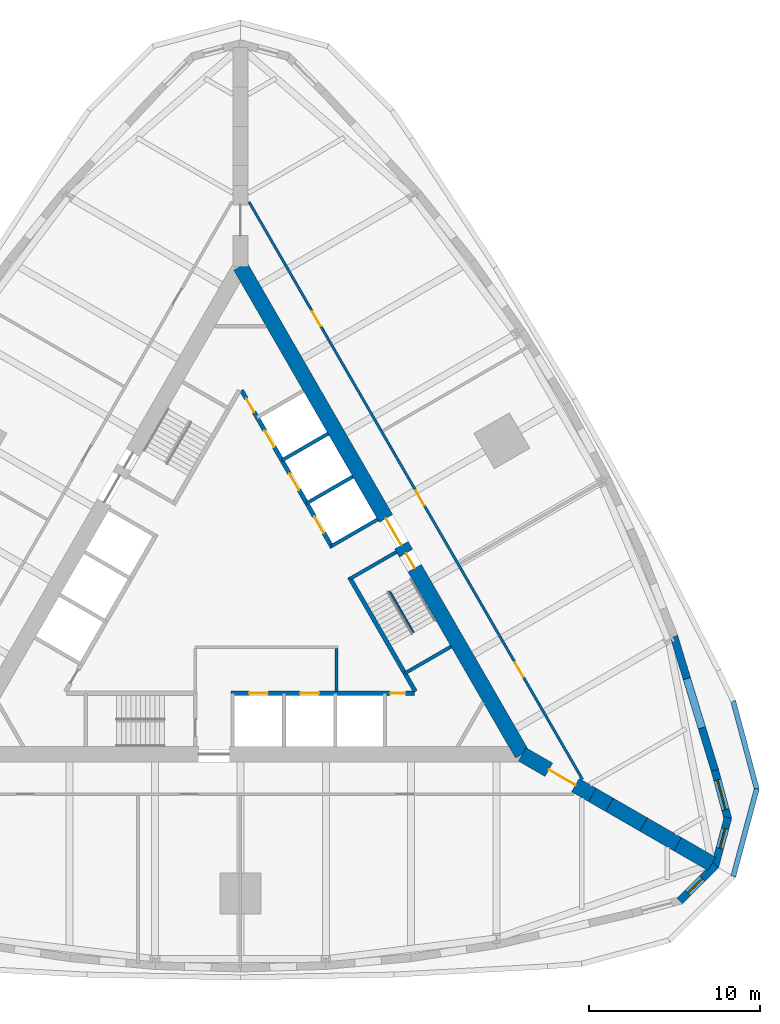
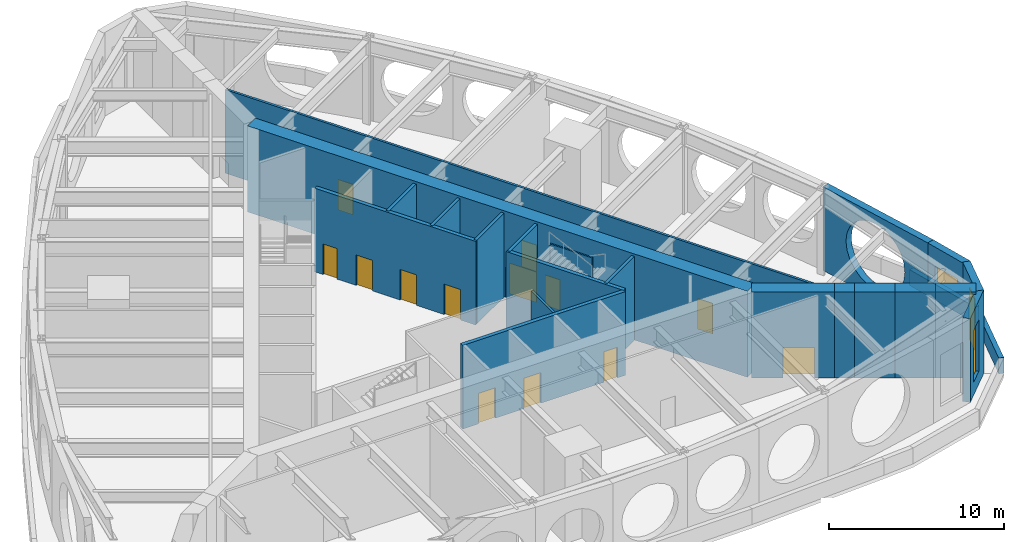
# One storey, part 5 of 8: 23 walls, 13 doors, 3 windows, 16 openings.
"""IFC4 building model written with IfcOpenShell, lengths in metres."""

from ifc_helpers import new_model, si_unit, direction, frame, frame_2d, origin, place, context, subcontext, project, spatial, polyline, rectangle, outline, extrude, material, layer, layer_set, type_object, element, fill, save


model = new_model("IFC4")

# Units and contexts
model_context = context("Model", 3, precision=1e-05, world=origin(), true_north=direction((0.0, 1.0)))
body_context = subcontext(model_context, "Body", "Model", "MODEL_VIEW")
ifc_project = project(units=[si_unit("LENGTHUNIT", "METRE"), si_unit("AREAUNIT", "SQUARE_METRE"), si_unit("VOLUMEUNIT", "CUBIC_METRE"), si_unit("PLANEANGLEUNIT", "RADIAN"), si_unit("MASSUNIT", "GRAM", prefix="KILO")], contexts=[model_context])

# Site, building, storey
site_placement = place(None, origin())
site = spatial("IfcSite", under=ifc_project, at=site_placement, CompositionType="ELEMENT")
building_placement = place(site_placement, origin())
building = spatial("IfcBuilding", under=site, at=building_placement, Name="Trikona Tower", CompositionType="ELEMENT")
storey_placement = place(building_placement, frame((0.0, 0.0, 22.5)))
storey = spatial("IfcBuildingStorey", under=building, at=storey_placement, Name="L04", CompositionType="ELEMENT", Elevation=22.5)

# Wall, opening, window
ifc_material_1 = material(Name="Brick-faced precast concrete", Category="masonry")
ifc_layer_1 = layer(ifc_material_1, 0.449951171875)
ifc_layer_set_1 = layer_set([ifc_layer_1], Name="Brick-faced corner wall 450")
wall_type_1 = type_object("IfcWallType", Name="Brick-faced corner wall 450", PredefinedType="SOLIDWALL", material=ifc_layer_set_1)
wall_1_placement = place(storey_placement, frame((25.727783203125, -18.1201171875, 0.0), z_axis=(0.0, 0.0, 1.0), x_axis=(0.707025086683, 0.707188466253, 0.0)))
wall_1 = element("IfcWall", 1, at=wall_1_placement, inside=storey, type_object=wall_type_1, Name="External wall L04-09", PredefinedType="SOLIDWALL", context=body_context, shape_type="SweptSolid", body=[
    extrude(outline(polyline([(2.988525390625, 0.22509765625), (2.929931640625, 0.22509765625), (2.4375, 0.093017578125), (2.402099609375, 0.22509765625), (0.0, 0.22509765625), (0.0, -0.22509765625), (2.988525390625, -0.22509765625), (2.988525390625, 0.22509765625)])), origin(), (0.0, 0.0, 1.0), 5.8349609375),
])
opening_1_placement = place(wall_1_placement, frame((0.676025390625, 0.0, 0.89990234375)))
opening_1 = element("IfcOpeningElement", 2, at=opening_1_placement, cuts=wall_1, Name="Opening W1236", PredefinedType="OPENING", context=body_context, shape_type="SweptSolid", body=[
    extrude(rectangle(XDim=1.199951171875, YDim=3.60009765625, at=frame_2d((0.60009765625, 1.800048828125))), frame((0.0, 0.23486328125, 0.0), z_axis=(0.0, -1.0, 0.0), x_axis=(1.0, 0.0, 0.0)), (0.0, 0.0, 1.0), 0.469970703125),
])
ifc_material_2 = material(Name="Aluminium-framed double glazing", Category="aluminium")
window_type_1 = type_object("IfcWindowType", Name="Window 1200x3600", PartitioningType="SINGLE_PANEL", PredefinedType="WINDOW", material=ifc_material_2)
window_1_placement = place(opening_1_placement, origin())
window_1 = element("IfcWindow", 3, at=window_1_placement, inside=storey, type_object=window_type_1, Name="Window L04-RFG1", OverallHeight=3.60009765625, OverallWidth=1.199951171875, PartitioningType="SINGLE_PANEL", PredefinedType="WINDOW", context=body_context, shape_type="SweptSolid", body=[
    extrude(rectangle(XDim=1.199951171875, YDim=3.60009765625, at=frame_2d((0.60009765625, 1.800048828125))), frame((0.0, 0.030029296875, 0.0), z_axis=(0.0, -1.0, 0.0), x_axis=(1.0, 0.0, 0.0)), (0.0, 0.0, 1.0), 0.06005859375),
])
fill(opening_1, window_1)

wall_2_placement = place(storey_placement, frame((27.78271484375, -16.107666015625, 0.0), z_axis=(0.0, 0.0, 1.0), x_axis=(0.258801419081, 0.965930548995, 0.0)))
wall_2 = element("IfcWall", 4, at=wall_2_placement, inside=storey, type_object=wall_type_1, Name="External wall L04-10", PredefinedType="SOLIDWALL", context=body_context, shape_type="SweptSolid", body=[
    extrude(outline(polyline([(2.988525390625, 0.22509765625), (0.58642578125, 0.22509765625), (0.55126953125, 0.09326171875), (0.0595703125, 0.22509765625), (0.0, 0.22509765625), (0.0, -0.22509765625), (2.988525390625, -0.22509765625), (2.988525390625, 0.22509765625)])), origin(), (0.0, 0.0, 1.0), 5.8349609375),
])
opening_2_placement = place(wall_2_placement, frame((1.112548828125, 0.0, 0.89990234375)))
opening_2 = element("IfcOpeningElement", 5, at=opening_2_placement, cuts=wall_2, Name="Opening W1236", PredefinedType="OPENING", context=body_context, shape_type="SweptSolid", body=[
    extrude(rectangle(XDim=1.199951171875, YDim=3.60009765625, at=frame_2d((0.60009765625, 1.800048828125))), frame((0.0, 0.23486328125, 0.0), z_axis=(0.0, -1.0, 0.0), x_axis=(1.0, 0.0, 0.0)), (0.0, 0.0, 1.0), 0.469970703125),
])
window_2_placement = place(opening_2_placement, origin())
window_2 = element("IfcWindow", 6, at=window_2_placement, inside=storey, type_object=window_type_1, Name="Window L04-FPR", OverallHeight=3.60009765625, OverallWidth=1.199951171875, PartitioningType="SINGLE_PANEL", PredefinedType="WINDOW", context=body_context, shape_type="SweptSolid", body=[
    extrude(rectangle(XDim=1.199951171875, YDim=3.60009765625, at=frame_2d((0.60009765625, 1.800048828125))), frame((0.0, 0.030029296875, 0.0), z_axis=(0.0, -1.0, 0.0), x_axis=(1.0, 0.0, 0.0)), (0.0, 0.0, 1.0), 0.06005859375),
])
fill(opening_2, window_2)

wall_3_placement = place(storey_placement, frame((28.55615234375, -13.33740234375, 0.0), z_axis=(0.0, 0.0, 1.0), x_axis=(-0.258780998834, 0.965936019953, 0.0)))
wall_3 = element("IfcWall", 7, at=wall_3_placement, inside=storey, type_object=wall_type_1, Name="External wall L04-11", PredefinedType="SOLIDWALL", context=body_context, shape_type="SweptSolid", body=[
    extrude(rectangle(XDim=2.98876953125, YDim=0.449951171875, at=frame_2d((1.494384765625, 0.0))), origin(), (0.0, 0.0, 1.0), 5.8349609375),
])
opening_3_placement = place(wall_3_placement, frame((0.59423828125, 0.0, 0.89990234375)))
opening_3 = element("IfcOpeningElement", 8, at=opening_3_placement, cuts=wall_3, Name="Opening W1836", PredefinedType="OPENING", context=body_context, shape_type="SweptSolid", body=[
    extrude(rectangle(XDim=1.800048828125, YDim=3.60009765625, at=frame_2d((0.89990234375, 1.800048828125))), frame((0.0, 0.23486328125, 0.0), z_axis=(0.0, -1.0, 0.0), x_axis=(1.0, 0.0, 0.0)), (0.0, 0.0, 1.0), 0.469970703125),
])
ifc_material_3 = material(Name="Aluminium-framed double glazing", Category="aluminium")
window_type_2 = type_object("IfcWindowType", Name="Window 1800x3600", PartitioningType="SINGLE_PANEL", PredefinedType="WINDOW", material=ifc_material_3)
window_3_placement = place(opening_3_placement, origin())
window_3 = element("IfcWindow", 9, at=window_3_placement, inside=storey, type_object=window_type_2, Name="Window L04-FPR", OverallHeight=3.60009765625, OverallWidth=1.800048828125, PartitioningType="SINGLE_PANEL", PredefinedType="WINDOW", context=body_context, shape_type="SweptSolid", body=[
    extrude(rectangle(XDim=1.800048828125, YDim=3.60009765625, at=frame_2d((0.89990234375, 1.800048828125))), frame((0.0, 0.030029296875, 0.0), z_axis=(0.0, -1.0, 0.0), x_axis=(1.0, 0.0, 0.0)), (0.0, 0.0, 1.0), 0.06005859375),
])
fill(opening_3, window_3)

# Wall
ifc_material_4 = material(Name="Brick-faced precast concrete with louvred openings", Category="masonry")
ifc_layer_2 = layer(ifc_material_4, 0.449951171875)
ifc_layer_set_2 = layer_set([ifc_layer_2], Name="Brick-faced plant wall 450")
wall_type_2 = type_object("IfcWallType", Name="Brick-faced plant wall 450", PredefinedType="SOLIDWALL", material=ifc_layer_set_2)
wall_4_placement = place(storey_placement, frame((27.784912109375, -10.4580078125, 0.0), z_axis=(0.0, 0.0, 1.0), x_axis=(-0.291997961298, 0.956418940945, 0.0)))
element("IfcWall", 10, at=wall_4_placement, inside=storey, type_object=wall_type_2, Name="External wall L04-12", PredefinedType="SOLIDWALL", context=body_context, shape_type="SweptSolid", body=[
    extrude(outline(polyline([(0.0, 0.0), (8.21142578125, 0.0), (8.21142578125, 5.8349609375), (0.0, 5.8349609375), (0.0, 0.0)]), holes=[polyline([(6.405517578125, 2.91748046875), (6.3271484375, 3.5126953125), (6.097412109375, 4.0673828125), (5.73193359375, 4.543701171875), (5.255615234375, 4.909423828125), (4.700927734375, 5.13916015625), (4.105712890625, 5.217529296875), (3.51025390625, 5.13916015625), (2.95556640625, 4.909423828125), (2.479248046875, 4.543701171875), (2.11376953125, 4.0673828125), (1.884033203125, 3.5126953125), (1.8056640625, 2.91748046875), (1.884033203125, 2.322265625), (2.11376953125, 1.767578125), (2.479248046875, 1.291259765625), (2.95556640625, 0.925537109375), (3.51025390625, 0.69580078125), (4.105712890625, 0.617431640625), (4.700927734375, 0.69580078125), (5.255615234375, 0.925537109375), (5.73193359375, 1.291259765625), (6.097412109375, 1.767578125), (6.3271484375, 2.322265625), (6.405517578125, 2.91748046875)])]), frame((0.0, 0.22509765625, 0.0), z_axis=(0.0, -1.0, 0.0), x_axis=(1.0, 0.0, 0.0)), (0.0, 0.0, 1.0), 0.449951171875),
])

# Wall, opening, door
ifc_material_5 = material(Name="Concrete f'c 10000 psi", Category="concrete")
ifc_layer_3 = layer(ifc_material_5, 0.89990234375)
ifc_layer_set_3 = layer_set([ifc_layer_3], Name="Buttress wall 900")
wall_type_3 = type_object("IfcWallType", Name="Buttress wall 900", PredefinedType="SHEAR", material=ifc_layer_set_3)
wall_5_placement = place(storey_placement, frame((16.5, -9.5263671875, 0.0), z_axis=(0.0, 0.0, 1.0), x_axis=(0.866031398331, -0.499989616998, 0.0)))
wall_5 = element("IfcWall", 11, at=wall_5_placement, inside=storey, type_object=wall_type_3, Name="Buttress wall 1", PredefinedType="SHEAR", context=body_context, shape_type="SweptSolid", body=[
    extrude(rectangle(XDim=4.74609375, YDim=0.89990234375, at=frame_2d((2.373046875, 0.0))), origin(), (0.0, 0.0, 1.0), 6.0),
])
opening_4_placement = place(wall_5_placement, frame((1.800048828125, 0.0, 0.0)))
opening_4 = element("IfcOpeningElement", 12, at=opening_4_placement, cuts=wall_5, Name="Opening D10", PredefinedType="OPENING", context=body_context, shape_type="SweptSolid", body=[
    extrude(rectangle(XDim=1.800048828125, YDim=2.1298828125, at=frame_2d((0.89990234375, 1.06494140625))), frame((0.0, 0.4599609375, 0.0), z_axis=(0.0, -1.0, 0.0), x_axis=(1.0, 0.0, 0.0)), (0.0, 0.0, 1.0), 0.919921875),
])
ifc_material_6 = material(Name="Hollow metal door and frame", Category="steel")
door_type_1 = type_object("IfcDoorType", Name="Cross-corridor door pair 1800x2130", OperationType="DOUBLE_DOOR_DOUBLE_SWING", PredefinedType="DOOR", material=ifc_material_6)
door_1_placement = place(opening_4_placement, origin())
door_1 = element("IfcDoor", 13, at=door_1_placement, inside=storey, type_object=door_type_1, Name="Cross-corridor door 1", OperationType="DOUBLE_DOOR_DOUBLE_SWING", OverallHeight=2.1298828125, OverallWidth=1.800048828125, PredefinedType="DOOR", context=body_context, shape_type="SweptSolid", body=[
    extrude(rectangle(XDim=1.800048828125, YDim=2.1298828125, at=frame_2d((0.89990234375, 1.06494140625))), frame((0.0, 0.02490234375, 0.0), z_axis=(0.0, -1.0, 0.0), x_axis=(1.0, 0.0, 0.0)), (0.0, 0.0, 1.0), 0.050048828125),
])
fill(opening_4, door_1)

# Walls
wall_6_placement = place(storey_placement, frame((20.6103515625, -11.8994140625, 0.0), z_axis=(0.0, 0.0, 1.0), x_axis=(0.866009537788, -0.500027479704, 0.0)))
element("IfcWall", 14, at=wall_6_placement, inside=storey, type_object=wall_type_3, Name="Buttress wall 1 part 2", PredefinedType="SHEAR", context=body_context, shape_type="SweptSolid", body=[
    extrude(rectangle(XDim=1.15478515625, YDim=0.89990234375, at=frame_2d((0.577392578125, 0.0))), origin(), (0.0, 0.0, 1.0), 6.0),
])
for number, where, z_axis, x_axis, name in (
    (15, (21.6103515625, -12.476806640625, 0.0), (0.0, 0.0, 1.0), (0.866055313784, -0.499948190782, 0.0), "Buttress wall 1 part 3"),
    (16, (23.6103515625, -13.63134765625, 0.0), (0.0, 0.0, 1.0), (0.866009537788, -0.500027479704, 0.0), "Buttress wall 1 part 4"),
    (17, (25.6103515625, -14.7861328125, 0.0), (0.0, 0.0, 1.0), (0.866009537788, -0.500027479704, 0.0), "Buttress wall 1 part 5"),
):
    element("IfcWall", number, at=place(storey_placement, frame(where, z_axis=z_axis, x_axis=x_axis)), inside=storey, type_object=wall_type_3, Name=name, PredefinedType="SHEAR", context=body_context, shape_type="SweptSolid", body=[
        extrude(rectangle(XDim=2.309326171875, YDim=0.89990234375, at=frame_2d((1.15478515625, 0.0))), origin(), (0.0, 0.0, 1.0), 6.0),
    ])

# Wall, openings, doors
ifc_material_7 = material(Name="Concrete f'c 10000 psi", Category="concrete")
ifc_layer_4 = layer(ifc_material_7, 0.89990234375)
ifc_layer_set_4 = layer_set([ifc_layer_4], Name="Core wall 900")
wall_type_4 = type_object("IfcWallType", Name="Core wall 900", PredefinedType="SHEAR", material=ifc_layer_set_4)
wall_7_placement = place(storey_placement, frame((16.5, -9.5263671875, 0.0), z_axis=(0.0, 0.0, 1.0), x_axis=(-0.499999749417, 0.866025548458, 0.0)))
wall_7 = element("IfcWall", 18, at=wall_7_placement, inside=storey, type_object=wall_type_4, Name="Core wall B", PredefinedType="SHEAR", context=body_context, shape_type="SweptSolid", body=[
    extrude(rectangle(XDim=33.0, YDim=0.89990234375, at=frame_2d((16.5, 0.0))), origin(), (0.0, 0.0, 1.0), 6.0),
])
opening_5_placement = place(wall_7_placement, frame((14.14990234375, 0.0, 0.0)))
opening_5 = element("IfcOpeningElement", 19, at=opening_5_placement, cuts=wall_7, Name="Opening D6", PredefinedType="OPENING", context=body_context, shape_type="SweptSolid", body=[
    extrude(rectangle(XDim=1.800048828125, YDim=2.1298828125, at=frame_2d((0.89990234375, 1.06494140625))), frame((0.0, 0.4599609375, 0.0), z_axis=(0.0, -1.0, 0.0), x_axis=(1.0, 0.0, 0.0)), (0.0, 0.0, 1.0), 0.919921875),
])
opening_6_placement = place(wall_7_placement, frame((12.60009765625, 0.0, 0.0)))
opening_6 = element("IfcOpeningElement", 20, at=opening_6_placement, cuts=wall_7, Name="Opening D5", PredefinedType="OPENING", context=body_context, shape_type="SweptSolid", body=[
    extrude(rectangle(XDim=1.0, YDim=2.1298828125, at=frame_2d((0.5, 1.06494140625))), frame((0.0, 0.4599609375, 0.0), z_axis=(0.0, -1.0, 0.0), x_axis=(1.0, 0.0, 0.0)), (0.0, 0.0, 1.0), 0.919921875),
])
ifc_material_8 = material(Name="Hollow metal door and frame", Category="steel")
door_type_2 = type_object("IfcDoorType", Name="Lobby door pair 1800x2130", OperationType="DOUBLE_DOOR_SINGLE_SWING", PredefinedType="DOOR", material=ifc_material_8)
door_2_placement = place(opening_5_placement, origin())
door_2 = element("IfcDoor", 21, at=door_2_placement, inside=storey, type_object=door_type_2, Name="Lift lobby door B", OperationType="DOUBLE_DOOR_SINGLE_SWING", OverallHeight=2.1298828125, OverallWidth=1.800048828125, PredefinedType="DOOR", context=body_context, shape_type="SweptSolid", body=[
    extrude(rectangle(XDim=1.800048828125, YDim=2.1298828125, at=frame_2d((0.89990234375, 1.06494140625))), frame((0.0, 0.02490234375, 0.0), z_axis=(0.0, -1.0, 0.0), x_axis=(1.0, 0.0, 0.0)), (0.0, 0.0, 1.0), 0.050048828125),
])
fill(opening_5, door_2)
ifc_material_9 = material(Name="Hollow metal door and frame", Category="steel")
door_type_3 = type_object("IfcDoorType", Name="Stair door 1000x2130", OperationType="SINGLE_SWING_LEFT", PredefinedType="DOOR", material=ifc_material_9)
door_3_placement = place(opening_6_placement, origin())
door_3 = element("IfcDoor", 22, at=door_3_placement, inside=storey, type_object=door_type_3, Name="Stair B door", OperationType="SINGLE_SWING_RIGHT", OverallHeight=2.1298828125, OverallWidth=1.0, PredefinedType="DOOR", context=body_context, shape_type="SweptSolid", body=[
    extrude(rectangle(XDim=1.0, YDim=2.1298828125, at=frame_2d((0.5, 1.06494140625))), frame((0.0, 0.02490234375, 0.0), z_axis=(0.0, -1.0, 0.0), x_axis=(1.0, 0.0, 0.0)), (0.0, 0.0, 1.0), 0.050048828125),
])
fill(opening_6, door_3)

ifc_material_10 = material(Name="Metal stud and gypsum board, 1-hour", Category="gypsum")
ifc_layer_5 = layer(ifc_material_10, 0.14990234375)
ifc_layer_set_5 = layer_set([ifc_layer_5], Name="Corridor wall 150")
wall_type_5 = type_object("IfcWallType", Name="Corridor wall 150", PredefinedType="PARTITIONING", material=ifc_layer_set_5)
wall_8_placement = place(storey_placement, frame((20.027099609375, -10.9853515625, 0.0), z_axis=(0.0, 0.0, 1.0), x_axis=(-0.500001677587, 0.866024435227, 0.0)))
wall_8 = element("IfcWall", 23, at=wall_8_placement, inside=storey, type_object=wall_type_5, Name="Corridor wall L04-2", PredefinedType="PARTITIONING", context=body_context, shape_type="SweptSolid", body=[
    extrude(rectangle(XDim=39.053955078125, YDim=0.14990234375, at=frame_2d((19.52685546875, 0.0))), origin(), (0.0, 0.0, 1.0), 5.8349609375),
])
opening_7_placement = place(wall_8_placement, frame((6.91357421875, 0.0, 0.0)))
opening_7 = element("IfcOpeningElement", 24, at=opening_7_placement, cuts=wall_8, Name="Opening D3", PredefinedType="OPENING", context=body_context, shape_type="SweptSolid", body=[
    extrude(rectangle(XDim=1.0, YDim=2.1298828125, at=frame_2d((0.5, 1.06494140625))), frame((0.0, 0.0849609375, 0.0), z_axis=(0.0, -1.0, 0.0), x_axis=(1.0, 0.0, 0.0)), (0.0, 0.0, 1.0), 0.169921875),
])
opening_8_placement = place(wall_8_placement, frame((18.527099609375, 0.0, 0.0)))
opening_8 = element("IfcOpeningElement", 25, at=opening_8_placement, cuts=wall_8, Name="Opening D3", PredefinedType="OPENING", context=body_context, shape_type="SweptSolid", body=[
    extrude(rectangle(XDim=1.0, YDim=2.1298828125, at=frame_2d((0.5, 1.06494140625))), frame((0.0, 0.0849609375, 0.0), z_axis=(0.0, -1.0, 0.0), x_axis=(1.0, 0.0, 0.0)), (0.0, 0.0, 1.0), 0.169921875),
])
opening_9_placement = place(wall_8_placement, frame((30.640380859375, 0.0, 0.0)))
opening_9 = element("IfcOpeningElement", 26, at=opening_9_placement, cuts=wall_8, Name="Opening D3", PredefinedType="OPENING", context=body_context, shape_type="SweptSolid", body=[
    extrude(rectangle(XDim=1.0, YDim=2.1298828125, at=frame_2d((0.5, 1.06494140625))), frame((0.0, 0.0849609375, 0.0), z_axis=(0.0, -1.0, 0.0), x_axis=(1.0, 0.0, 0.0)), (0.0, 0.0, 1.0), 0.169921875),
])
ifc_material_11 = material(Name="Steel door frame with solid-core timber leaf", Category="steel")
door_type_4 = type_object("IfcDoorType", Name="Room door 1000x2130", OperationType="SINGLE_SWING_LEFT", PredefinedType="DOOR", material=ifc_material_11)
door_4_placement = place(opening_7_placement, origin())
door_4 = element("IfcDoor", 27, at=door_4_placement, inside=storey, type_object=door_type_4, Name="Door Fire pump plant room", OperationType="SINGLE_SWING_LEFT", OverallHeight=2.1298828125, OverallWidth=1.0, PredefinedType="DOOR", context=body_context, shape_type="SweptSolid", body=[
    extrude(rectangle(XDim=1.0, YDim=2.1298828125, at=frame_2d((0.5, 1.06494140625))), frame((0.0, 0.02490234375, 0.0), z_axis=(0.0, -1.0, 0.0), x_axis=(1.0, 0.0, 0.0)), (0.0, 0.0, 1.0), 0.050048828125),
])
fill(opening_7, door_4)
door_5_placement = place(opening_8_placement, origin())
door_5 = element("IfcDoor", 28, at=door_5_placement, inside=storey, type_object=door_type_4, Name="Door Chiller plant", OperationType="SINGLE_SWING_RIGHT", OverallHeight=2.1298828125, OverallWidth=1.0, PredefinedType="DOOR", context=body_context, shape_type="SweptSolid", body=[
    extrude(rectangle(XDim=1.0, YDim=2.1298828125, at=frame_2d((0.5, 1.06494140625))), frame((0.0, 0.02490234375, 0.0), z_axis=(0.0, -1.0, 0.0), x_axis=(1.0, 0.0, 0.0)), (0.0, 0.0, 1.0), 0.050048828125),
])
fill(opening_8, door_5)
door_6_placement = place(opening_9_placement, origin())
door_6 = element("IfcDoor", 29, at=door_6_placement, inside=storey, type_object=door_type_4, Name="Door Chilled water pump plant room", OperationType="SINGLE_SWING_LEFT", OverallHeight=2.1298828125, OverallWidth=1.0, PredefinedType="DOOR", context=body_context, shape_type="SweptSolid", body=[
    extrude(rectangle(XDim=1.0, YDim=2.1298828125, at=frame_2d((0.5, 1.06494140625))), frame((0.0, 0.02490234375, 0.0), z_axis=(0.0, -1.0, 0.0), x_axis=(1.0, 0.0, 0.0)), (0.0, 0.0, 1.0), 0.050048828125),
])
fill(opening_9, door_6)

ifc_material_12 = material(Name="Concrete f'c 8000 psi", Category="concrete")
ifc_layer_6 = layer(ifc_material_12, 0.25)
ifc_layer_set_6 = layer_set([ifc_layer_6], Name="Hub wall 250")
wall_type_6 = type_object("IfcWallType", Name="Hub wall 250", PredefinedType="SOLIDWALL", material=ifc_layer_set_6)
wall_9_placement = place(storey_placement, frame((-0.550048828125, -5.951416015625, 0.0), z_axis=(0.0, 0.0, 1.0), x_axis=(1.0, 0.0, 0.0)))
wall_9 = element("IfcWall", 30, at=wall_9_placement, inside=storey, type_object=wall_type_6, Name="Lift lobby wall A2", PredefinedType="SOLIDWALL", context=body_context, shape_type="SweptSolid", body=[
    extrude(rectangle(XDim=10.73291015625, YDim=0.25, at=frame_2d((5.366455078125, 0.0))), origin(), (0.0, 0.0, 1.0), 5.8349609375),
])
opening_10_placement = place(wall_9_placement, frame((9.31396484375, 0.0, 0.0)))
opening_10 = element("IfcOpeningElement", 31, at=opening_10_placement, cuts=wall_9, Name="Opening D14", PredefinedType="OPENING", context=body_context, shape_type="SweptSolid", body=[
    extrude(rectangle(XDim=0.89990234375, YDim=2.1298828125, at=frame_2d((0.449951171875, 1.06494140625))), frame((0.0, 0.135009765625, 0.0), z_axis=(0.0, -1.0, 0.0), x_axis=(1.0, 0.0, 0.0)), (0.0, 0.0, 1.0), 0.27001953125),
])
opening_11_placement = place(wall_9_placement, frame((1.050048828125, 0.0, 0.0)))
opening_11 = element("IfcOpeningElement", 32, at=opening_11_placement, cuts=wall_9, Name="Opening LD", PredefinedType="OPENING", context=body_context, shape_type="SweptSolid", body=[
    extrude(rectangle(XDim=1.10009765625, YDim=2.1298828125, at=frame_2d((0.550048828125, 1.06494140625))), frame((0.0, 0.135009765625, 0.0), z_axis=(0.0, -1.0, 0.0), x_axis=(1.0, 0.0, 0.0)), (0.0, 0.0, 1.0), 0.27001953125),
])
opening_12_placement = place(wall_9_placement, frame((4.050048828125, 0.0, 0.0)))
opening_12 = element("IfcOpeningElement", 33, at=opening_12_placement, cuts=wall_9, Name="Opening LD", PredefinedType="OPENING", context=body_context, shape_type="SweptSolid", body=[
    extrude(rectangle(XDim=1.10009765625, YDim=2.1298828125, at=frame_2d((0.550048828125, 1.06494140625))), frame((0.0, 0.135009765625, 0.0), z_axis=(0.0, -1.0, 0.0), x_axis=(1.0, 0.0, 0.0)), (0.0, 0.0, 1.0), 0.27001953125),
])
ifc_material_13 = material(Name="Stainless steel lift landing door", Category="steel")
door_type_5 = type_object("IfcDoorType", Name="Lift landing door 1100x2130", OperationType="DOUBLE_DOOR_SLIDING", PredefinedType="USERDEFINED", material=ifc_material_13)
door_7_placement = place(opening_11_placement, origin())
door_7 = element("IfcDoor", 34, at=door_7_placement, inside=storey, type_object=door_type_5, Name="Lift landing door FF1", ObjectType="LIFT LANDING DOOR", OperationType="DOUBLE_DOOR_SLIDING", OverallHeight=2.1298828125, OverallWidth=1.10009765625, PredefinedType="USERDEFINED", context=body_context, shape_type="SweptSolid", body=[
    extrude(rectangle(XDim=1.10009765625, YDim=2.1298828125, at=frame_2d((0.550048828125, 1.06494140625))), frame((0.0, 0.02490234375, 0.0), z_axis=(0.0, -1.0, 0.0), x_axis=(1.0, 0.0, 0.0)), (0.0, 0.0, 1.0), 0.050048828125),
])
fill(opening_11, door_7)
door_8_placement = place(opening_12_placement, origin())
door_8 = element("IfcDoor", 35, at=door_8_placement, inside=storey, type_object=door_type_5, Name="Lift landing door FF2", ObjectType="LIFT LANDING DOOR", OperationType="DOUBLE_DOOR_SLIDING", OverallHeight=2.1298828125, OverallWidth=1.10009765625, PredefinedType="USERDEFINED", context=body_context, shape_type="SweptSolid", body=[
    extrude(rectangle(XDim=1.10009765625, YDim=2.1298828125, at=frame_2d((0.550048828125, 1.06494140625))), frame((0.0, 0.02490234375, 0.0), z_axis=(0.0, -1.0, 0.0), x_axis=(1.0, 0.0, 0.0)), (0.0, 0.0, 1.0), 0.050048828125),
])
fill(opening_12, door_8)
ifc_material_14 = material(Name="Hollow metal door and frame", Category="steel")
door_type_6 = type_object("IfcDoorType", Name="Service room door 900x2130", OperationType="SINGLE_SWING_LEFT", PredefinedType="DOOR", material=ifc_material_14)
door_9_placement = place(opening_10_placement, origin())
door_9 = element("IfcDoor", 36, at=door_9_placement, inside=storey, type_object=door_type_6, Name="Door IT and communications room ITC", OperationType="SINGLE_SWING_RIGHT", OverallHeight=2.1298828125, OverallWidth=0.89990234375, PredefinedType="DOOR", context=body_context, shape_type="SweptSolid", body=[
    extrude(rectangle(XDim=0.89990234375, YDim=2.1298828125, at=frame_2d((0.449951171875, 1.06494140625))), frame((0.0, 0.02490234375, 0.0), z_axis=(0.0, -1.0, 0.0), x_axis=(1.0, 0.0, 0.0)), (0.0, 0.0, 1.0), 0.050048828125),
])
fill(opening_10, door_9)

# Wall
wall_10_placement = place(storey_placement, frame((10.245361328125, -5.843017578125, 0.0), z_axis=(0.0, 0.0, 1.0), x_axis=(-0.499993009313, 0.866029439822, 0.0)))
element("IfcWall", 37, at=wall_10_placement, inside=storey, type_object=wall_type_6, Name="Lift lobby wall B1", PredefinedType="SOLIDWALL", context=body_context, shape_type="SweptSolid", body=[
    extrude(rectangle(XDim=7.73291015625, YDim=0.25, at=frame_2d((3.866455078125, 0.0))), origin(), (0.0, 0.0, 1.0), 5.8349609375),
])

# Wall, openings, doors
wall_11_placement = place(storey_placement, frame((5.37890625, 2.5859375, 0.0), z_axis=(0.0, 0.0, 1.0), x_axis=(-0.500001375892, 0.866024609411, 0.0)))
wall_11 = element("IfcWall", 38, at=wall_11_placement, inside=storey, type_object=wall_type_6, Name="Lift lobby wall B2", PredefinedType="SOLIDWALL", context=body_context, shape_type="SweptSolid", body=[
    extrude(rectangle(XDim=10.6328125, YDim=0.25, at=frame_2d((5.31640625, 0.0))), origin(), (0.0, 0.0, 1.0), 5.8349609375),
])
opening_13_placement = place(wall_11_placement, frame((9.1640625, 0.0, 0.0)))
opening_13 = element("IfcOpeningElement", 39, at=opening_13_placement, cuts=wall_11, Name="Opening D14", PredefinedType="OPENING", context=body_context, shape_type="SweptSolid", body=[
    extrude(rectangle(XDim=0.89990234375, YDim=2.1298828125, at=frame_2d((0.449951171875, 1.06494140625))), frame((0.0, 0.135009765625, 0.0), z_axis=(0.0, -1.0, 0.0), x_axis=(1.0, 0.0, 0.0)), (0.0, 0.0, 1.0), 0.27001953125),
])
opening_14_placement = place(wall_11_placement, frame((1.0, 0.0, 0.0)))
opening_14 = element("IfcOpeningElement", 40, at=opening_14_placement, cuts=wall_11, Name="Opening LD", PredefinedType="OPENING", context=body_context, shape_type="SweptSolid", body=[
    extrude(rectangle(XDim=1.10009765625, YDim=2.1298828125, at=frame_2d((0.550048828125, 1.06494140625))), frame((0.0, 0.135009765625, 0.0), z_axis=(0.0, -1.0, 0.0), x_axis=(1.0, 0.0, 0.0)), (0.0, 0.0, 1.0), 0.27001953125),
])
opening_15_placement = place(wall_11_placement, frame((3.89990234375, 0.0, 0.0)))
opening_15 = element("IfcOpeningElement", 41, at=opening_15_placement, cuts=wall_11, Name="Opening LD", PredefinedType="OPENING", context=body_context, shape_type="SweptSolid", body=[
    extrude(rectangle(XDim=1.10009765625, YDim=2.1298828125, at=frame_2d((0.550048828125, 1.06494140625))), frame((0.0, 0.135009765625, 0.0), z_axis=(0.0, -1.0, 0.0), x_axis=(1.0, 0.0, 0.0)), (0.0, 0.0, 1.0), 0.27001953125),
])
opening_16_placement = place(wall_11_placement, frame((6.800048828125, 0.0, 0.0)))
opening_16 = element("IfcOpeningElement", 42, at=opening_16_placement, cuts=wall_11, Name="Opening LD", PredefinedType="OPENING", context=body_context, shape_type="SweptSolid", body=[
    extrude(rectangle(XDim=1.10009765625, YDim=2.1298828125, at=frame_2d((0.550048828125, 1.06494140625))), frame((0.0, 0.135009765625, 0.0), z_axis=(0.0, -1.0, 0.0), x_axis=(1.0, 0.0, 0.0)), (0.0, 0.0, 1.0), 0.27001953125),
])
door_10_placement = place(opening_14_placement, origin())
door_10 = element("IfcDoor", 43, at=door_10_placement, inside=storey, type_object=door_type_5, Name="Lift landing door L1-1", ObjectType="LIFT LANDING DOOR", OperationType="DOUBLE_DOOR_SLIDING", OverallHeight=2.1298828125, OverallWidth=1.10009765625, PredefinedType="USERDEFINED", context=body_context, shape_type="SweptSolid", body=[
    extrude(rectangle(XDim=1.10009765625, YDim=2.1298828125, at=frame_2d((0.550048828125, 1.06494140625))), frame((0.0, 0.02490234375, 0.0), z_axis=(0.0, -1.0, 0.0), x_axis=(1.0, 0.0, 0.0)), (0.0, 0.0, 1.0), 0.050048828125),
])
fill(opening_14, door_10)
door_11_placement = place(opening_15_placement, origin())
door_11 = element("IfcDoor", 44, at=door_11_placement, inside=storey, type_object=door_type_5, Name="Lift landing door L1-2", ObjectType="LIFT LANDING DOOR", OperationType="DOUBLE_DOOR_SLIDING", OverallHeight=2.1298828125, OverallWidth=1.10009765625, PredefinedType="USERDEFINED", context=body_context, shape_type="SweptSolid", body=[
    extrude(rectangle(XDim=1.10009765625, YDim=2.1298828125, at=frame_2d((0.550048828125, 1.06494140625))), frame((0.0, 0.02490234375, 0.0), z_axis=(0.0, -1.0, 0.0), x_axis=(1.0, 0.0, 0.0)), (0.0, 0.0, 1.0), 0.050048828125),
])
fill(opening_15, door_11)
door_12_placement = place(opening_16_placement, origin())
door_12 = element("IfcDoor", 45, at=door_12_placement, inside=storey, type_object=door_type_5, Name="Lift landing door L1-3", ObjectType="LIFT LANDING DOOR", OperationType="DOUBLE_DOOR_SLIDING", OverallHeight=2.1298828125, OverallWidth=1.10009765625, PredefinedType="USERDEFINED", context=body_context, shape_type="SweptSolid", body=[
    extrude(rectangle(XDim=1.10009765625, YDim=2.1298828125, at=frame_2d((0.550048828125, 1.06494140625))), frame((0.0, 0.02490234375, 0.0), z_axis=(0.0, -1.0, 0.0), x_axis=(1.0, 0.0, 0.0)), (0.0, 0.0, 1.0), 0.050048828125),
])
fill(opening_16, door_12)
door_13_placement = place(opening_13_placement, origin())
door_13 = element("IfcDoor", 46, at=door_13_placement, inside=storey, type_object=door_type_6, Name="Door Electrical room ELR", OperationType="SINGLE_SWING_RIGHT", OverallHeight=2.1298828125, OverallWidth=0.89990234375, PredefinedType="DOOR", context=body_context, shape_type="SweptSolid", body=[
    extrude(rectangle(XDim=0.89990234375, YDim=2.1298828125, at=frame_2d((0.449951171875, 1.06494140625))), frame((0.0, 0.02490234375, 0.0), z_axis=(0.0, -1.0, 0.0), x_axis=(1.0, 0.0, 0.0)), (0.0, 0.0, 1.0), 0.050048828125),
])
fill(opening_13, door_13)

# Walls
ifc_material_15 = material(Name="Metal stud and gypsum board, 2-hour shaft wall", Category="gypsum")
ifc_layer_7 = layer(ifc_material_15, 0.14990234375)
ifc_layer_set_7 = layer_set([ifc_layer_7], Name="Lobby wall 150")
wall_type_7 = type_object("IfcWallType", Name="Lobby wall 150", PredefinedType="PARTITIONING", material=ifc_layer_set_7)
wall_12_placement = place(storey_placement, frame((5.625, -5.826416015625, 0.0), z_axis=(0.0, 0.0, 1.0), x_axis=(0.0, 1.0, 0.0)))
element("IfcWall", 47, at=wall_12_placement, inside=storey, type_object=wall_type_7, Name="Fire service lift lobby wall 3", PredefinedType="PARTITIONING", context=body_context, shape_type="SweptSolid", body=[
    extrude(rectangle(XDim=2.5, YDim=0.14990234375, at=frame_2d((1.25, 0.0))), origin(), (0.0, 0.0, 1.0), 5.8349609375),
])
ifc_material_16 = material(Name="Brick-faced precast concrete", Category="masonry")
ifc_layer_8 = layer(ifc_material_16, 0.300048828125)
ifc_layer_set_8 = layer_set([ifc_layer_8], Name="Parapet wall 300")
wall_type_8 = type_object("IfcWallType", Name="Parapet wall 300", PredefinedType="PARAPET", material=ifc_layer_set_8)
wall_13_placement = place(storey_placement, frame((28.858642578125, -6.4033203125, 0.0), z_axis=(0.0, 0.0, 1.0), x_axis=(0.258843788525, -0.965919195969, 0.0)))
element("IfcWall", 48, at=wall_13_placement, inside=storey, type_object=wall_type_8, Name="Parapet L04-20", PredefinedType="PARAPET", context=body_context, shape_type="SweptSolid", body=[
    extrude(rectangle(XDim=5.3251953125, YDim=0.300048828125, at=frame_2d((2.66259765625, 0.0))), origin(), (0.0, 0.0, 1.0), 1.10009765625),
])
wall_14_placement = place(storey_placement, frame((30.237060546875, -11.547119140625, 0.0), z_axis=(0.0, 0.0, 1.0), x_axis=(-0.258838181903, -0.965920698396, 0.0)))
element("IfcWall", 49, at=wall_14_placement, inside=storey, type_object=wall_type_8, Name="Parapet L04-21", PredefinedType="PARAPET", context=body_context, shape_type="SweptSolid", body=[
    extrude(rectangle(XDim=5.299072265625, YDim=0.300048828125, at=frame_2d((2.6494140625, 0.0))), origin(), (0.0, 0.0, 1.0), 1.10009765625),
])
ifc_material_17 = material(Name="Concrete f'c 8000 psi", Category="concrete")
ifc_layer_9 = layer(ifc_material_17, 0.199951171875)
ifc_layer_set_9 = layer_set([ifc_layer_9], Name="Shaft wall 200")
wall_type_9 = type_object("IfcWallType", Name="Shaft wall 200", PredefinedType="SOLIDWALL", material=ifc_layer_set_9)
for number, where, z_axis, x_axis, name in (
    (50, (5.3291015625, 2.672607421875, 0.0), (0.0, 0.0, 1.0), (0.866022959057, 0.500004234368, 0.0), "Shaft wall B3"),
    (51, (3.87890625, 5.18408203125, 0.0), (0.0, 0.0, 1.0), (0.866022959057, 0.500004234368, 0.0), "Shaft wall B4"),
    (52, (2.428955078125, 7.695556640625, 0.0), (0.0, 0.0, 1.0), (0.866022959057, 0.500004234368, 0.0), "Shaft wall B5"),
):
    element("IfcWall", number, at=place(storey_placement, frame(where, z_axis=z_axis, x_axis=x_axis)), inside=storey, type_object=wall_type_9, Name=name, PredefinedType="SOLIDWALL", context=body_context, shape_type="SweptSolid", body=[
        extrude(rectangle(XDim=3.125, YDim=0.199951171875, at=frame_2d((1.5625, 0.0))), origin(), (0.0, 0.0, 1.0), 5.8349609375),
    ])
ifc_material_18 = material(Name="Concrete f'c 8000 psi", Category="concrete")
ifc_layer_10 = layer(ifc_material_18, 0.199951171875)
ifc_layer_set_10 = layer_set([ifc_layer_10], Name="Shaft wall 200 load-bearing")
wall_type_10 = type_object("IfcWallType", Name="Shaft wall 200 load-bearing", PredefinedType="SOLIDWALL", material=ifc_layer_set_10)
for number, where, z_axis, x_axis, name in (
    (53, (9.62890625, -4.775390625, 0.0), (0.0, 0.0, 1.0), (0.866022959057, 0.500004234368, 0.0), "Shaft wall B1"),
    (54, (6.428955078125, 0.767333984375, 0.0), (0.0, 0.0, 1.0), (0.866022959057, 0.500004234368, 0.0), "Shaft wall B2"),
):
    element("IfcWall", number, at=place(storey_placement, frame(where, z_axis=z_axis, x_axis=x_axis)), inside=storey, type_object=wall_type_10, Name=name, PredefinedType="SOLIDWALL", context=body_context, shape_type="SweptSolid", body=[
        extrude(rectangle(XDim=3.125, YDim=0.199951171875, at=frame_2d((1.5625, 0.0))), origin(), (0.0, 0.0, 1.0), 5.8349609375),
    ])
ifc_material_19 = material(Name="Concrete f'c 5000 psi", Category="concrete")
ifc_layer_11 = layer(ifc_material_19, 0.10009765625)
ifc_layer_set_11 = layer_set([ifc_layer_11], Name="Stair spine wall 100")
wall_type_11 = type_object("IfcWallType", Name="Stair spine wall 100", PredefinedType="SOLIDWALL", material=ifc_layer_set_11)
wall_15_placement = place(storey_placement, frame((10.134765625, -2.4013671875, 0.0), z_axis=(0.0, 0.0, 1.0), x_axis=(-0.499992232847, 0.866029888106, 0.0)))
element("IfcWall", 55, at=wall_15_placement, inside=storey, type_object=wall_type_11, Name="Stair B spine wall L04", PredefinedType="SOLIDWALL", context=body_context, shape_type="SweptSolid", body=[
    extrude(rectangle(XDim=2.7939453125, YDim=0.10009765625, at=frame_2d((1.39697265625, 0.0))), origin(), (0.0, 0.0, 1.0), 6.0),
])

save(model, "model.ifc")
